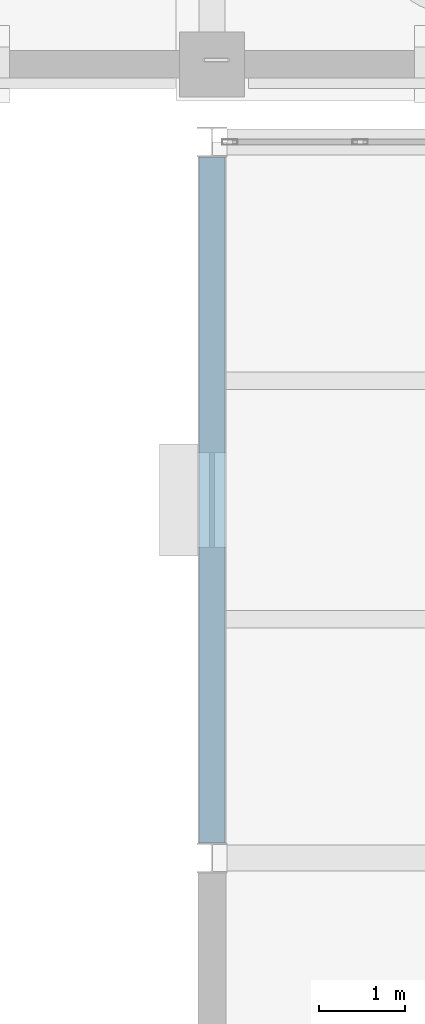
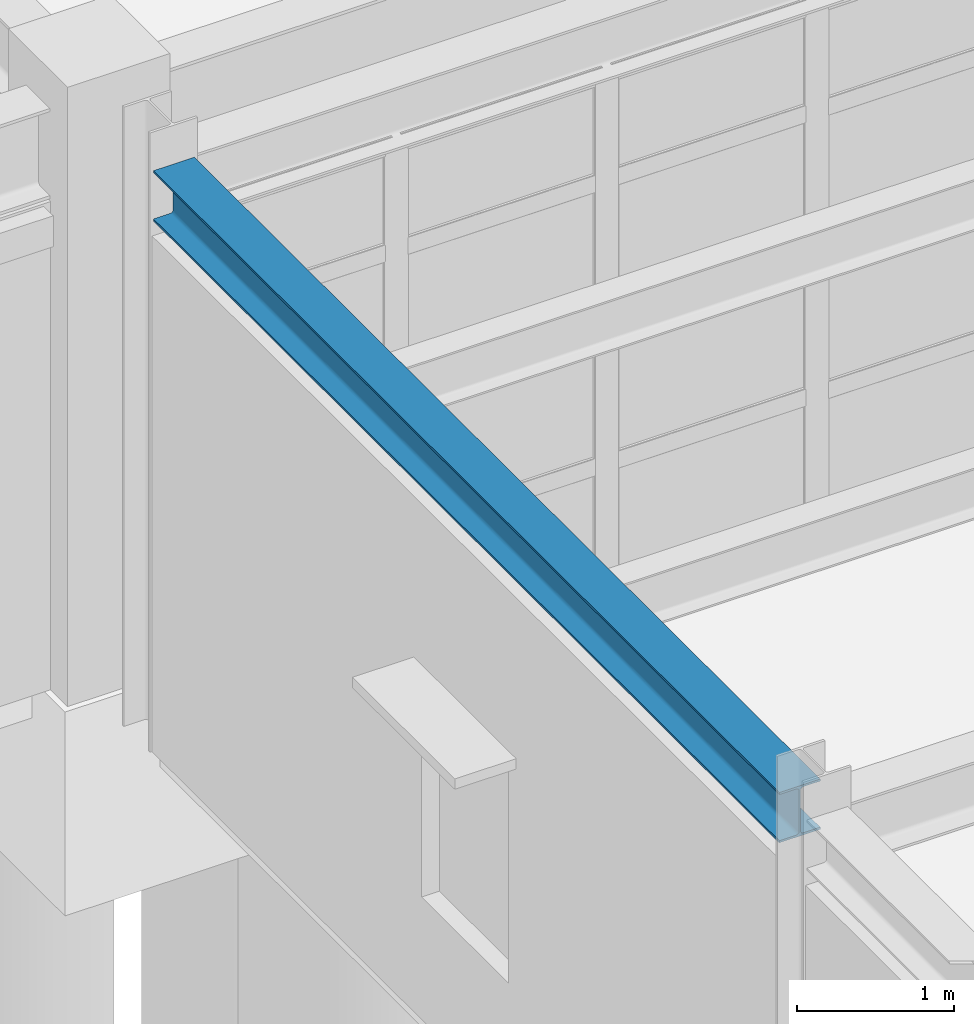
# One storey, part 27 of 139: 1 beam.
"""IFC4 building model written with IfcOpenShell, lengths in metres."""

from ifc_helpers import new_model, si_unit, direction, frame, origin, origin_2d, place, context, subcontext, project, spatial, i_section, extrude, material, material_profile, profile_set, type_object, element, save


model = new_model("IFC4")

# Units and contexts
model_context = context("Model", 3, precision=1e-05, world=origin(), true_north=direction((0.0, 1.0)))
body_context = subcontext(model_context, "Body", "Model", "MODEL_VIEW")
ifc_project = project(units=[si_unit("LENGTHUNIT", "METRE"), si_unit("AREAUNIT", "SQUARE_METRE"), si_unit("VOLUMEUNIT", "CUBIC_METRE"), si_unit("PLANEANGLEUNIT", "RADIAN"), si_unit("MASSUNIT", "GRAM", prefix="KILO")], contexts=[model_context])

# Site, building, storey
site_placement = place(None, origin())
site = spatial("IfcSite", under=ifc_project, at=site_placement, CompositionType="ELEMENT")
building_placement = place(site_placement, origin())
building = spatial("IfcBuilding", under=site, at=building_placement, Name="Canglan Escarpment Cableway Terminal", CompositionType="ELEMENT")
storey_placement = place(building_placement, frame((0.0, 0.0, 14.39990234375)))
storey = spatial("IfcBuildingStorey", under=building, at=storey_placement, Name="L03", CompositionType="ELEMENT", Elevation=14.39990234375)

# Beam
ifc_material = material(Name="Steel Q355B", Category="steel")
ifc_material_profile = material_profile(ifc_material, i_section(OverallWidth=0.300048828125, OverallDepth=0.389892578125, WebThickness=0.010009765625, FlangeThickness=0.01611328125, FilletRadius=0.02197265625, at=origin_2d()), Name="HM 390x300x10x16")
ifc_profile_set = profile_set([ifc_material_profile], Name="Steel Q355B")
beam_type = type_object("IfcBeamType", Name="BM-ARCH-TOP-HM390", PredefinedType="BEAM", material=ifc_profile_set)
beam_placement = place(storey_placement, frame((147.199951171875, 24.97509765625, 4.30517578125), z_axis=(0.0, 1.0, 0.0), x_axis=(-1.0, 0.0, 0.0)))
element("IfcBeam", 1, at=beam_placement, inside=storey, type_object=beam_type, Name="Primary transverse girder AR-TC1", PredefinedType="BEAM", context=body_context, shape_type="SweptSolid", body=[
    extrude(i_section(OverallWidth=0.300048828125, OverallDepth=0.389892578125, WebThickness=0.010009765625, FlangeThickness=0.01611328125, FilletRadius=0.02197265625, at=origin_2d()), origin(), (0.0, 0.0, 1.0), 7.949951171875),
])

save(model, "model.ifc")
